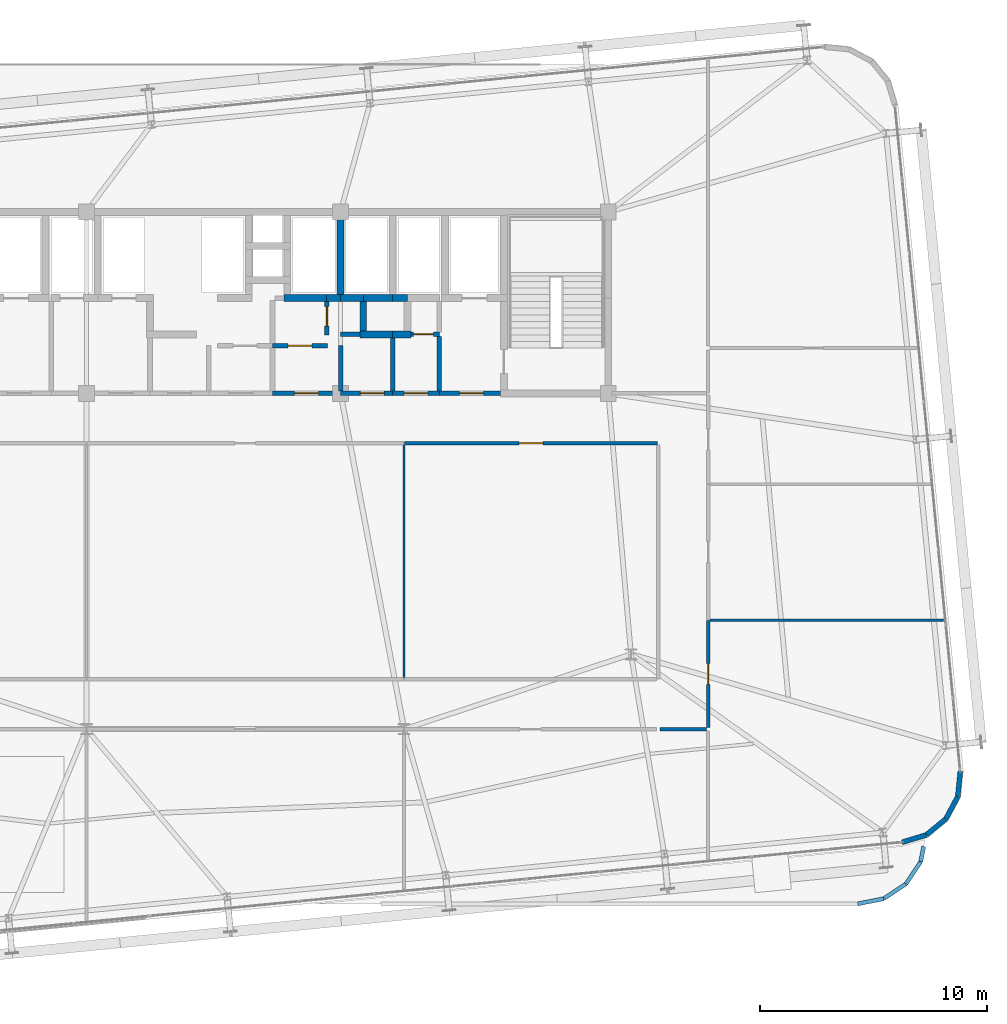
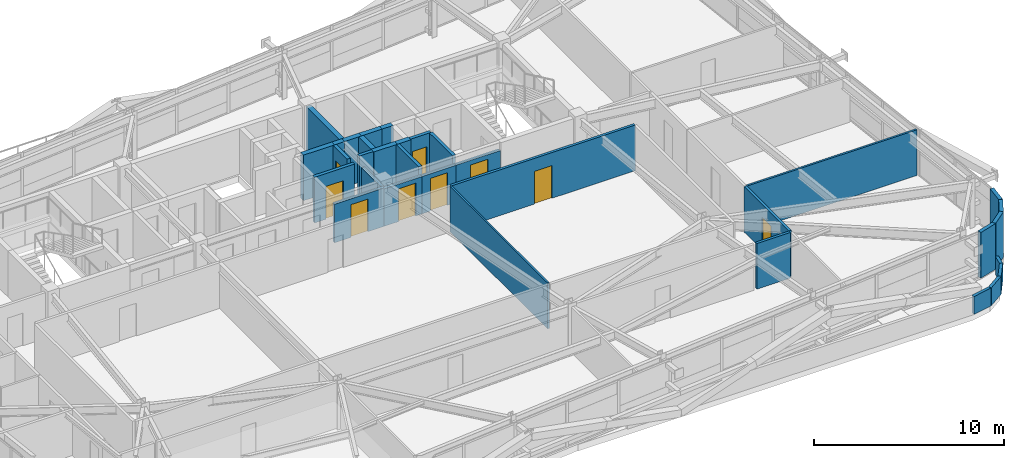
# One storey, part 46 of 51: 33 walls, 9 doors, 9 openings.
"""IFC4 building model written with IfcOpenShell, lengths in metres."""

from ifc_helpers import new_model, si_unit, direction, frame, frame_2d, origin, place, context, subcontext, project, spatial, rectangle, extrude, source, transform, mapped, material, layer, layer_set, type_object, element, fill, save


model = new_model("IFC4")

# Units and contexts
model_context = context("Model", 3, precision=1e-05, world=origin(), true_north=direction((0.0, 1.0)))
body_context = subcontext(model_context, "Body", "Model", "MODEL_VIEW")
ifc_project = project(units=[si_unit("LENGTHUNIT", "METRE"), si_unit("AREAUNIT", "SQUARE_METRE"), si_unit("VOLUMEUNIT", "CUBIC_METRE"), si_unit("PLANEANGLEUNIT", "RADIAN"), si_unit("MASSUNIT", "GRAM", prefix="KILO")], contexts=[model_context])

# Site, building, storey
site_placement = place(None, origin())
site = spatial("IfcSite", under=ifc_project, at=site_placement, CompositionType="ELEMENT")
building_placement = place(site_placement, origin())
building = spatial("IfcBuilding", under=site, at=building_placement, Name="Taldren Reach Tower", CompositionType="ELEMENT")
storey_placement = place(building_placement, frame((0.0, 0.0, 65.10009765625)))
storey = spatial("IfcBuildingStorey", under=building, at=storey_placement, Name="L19", CompositionType="ELEMENT", Elevation=65.10009765625)

# Walls
ifc_material_1 = material(Name="Pale Champagne Anodised Aluminium Cladding", Category="aluminium")
ifc_layer_1 = layer(ifc_material_1, 0.04, Name="Pale Champagne Anodised Aluminium Cladding", Category="aluminium")
ifc_material_2 = material(Name="Mineral Wool Acoustic Insulation", Category="insulation")
ifc_layer_2 = layer(ifc_material_2, 0.06, Name="Mineral Wool Acoustic Insulation", Category="insulation")
ifc_material_3 = material(Name="Steel Gr 350 (C350L0)", Category="steel")
ifc_layer_3 = layer(ifc_material_3, 0.12, Name="Steel Gr 350 (C350L0)", Category="steel")
ifc_layer_set_1 = layer_set([ifc_layer_1, ifc_layer_2, ifc_layer_3], Name="Pale Champagne Aluminium Cladding and Steel Gr 350 Stud Framing")
wall_type_1 = type_object("IfcWallType", Name="EW-CRN-220", PredefinedType="SOLIDWALL", material=ifc_layer_set_1)
shared_shape_1 = source(origin(), body_context, "Body", "SweptSolid", [
    extrude(rectangle(XDim=1.115966796875, YDim=0.219970703125, at=frame_2d((0.55810546875, 0.0))), origin(), (0.0, 0.0, 1.0), 2.929931640625),
])
for number, where, z_axis, x_axis, name in (
    (1, (65.01708984375, 4.537109375, 0.0), (0.0, 0.0, 1.0), (0.773342870285, 0.633988016432, 0.0), "Rounded-corner pale-metal facade wall L19-SE2"),
    (2, (66.406494140625, 6.228515625, 0.0), (0.0, 0.0, 1.0), (0.09844234778, 0.995142755671, 0.0), "Rounded-corner pale-metal facade wall L19-SE4"),
):
    element("IfcWall", number, at=place(storey_placement, frame(where, z_axis=z_axis, x_axis=x_axis)), inside=storey, type_object=wall_type_1, Name=name, PredefinedType="SOLIDWALL", context=body_context, shape_type="MappedRepresentation", body=[
        mapped(shared_shape_1, transform((0.0, 0.0, 0.0), scale=1.0)),
    ])
shared_shape_2 = source(origin(), body_context, "Body", "SweptSolid", [
    extrude(rectangle(XDim=1.11572265625, YDim=0.219970703125, at=frame_2d((0.557861328125, 0.0))), origin(), (0.0, 0.0, 1.0), 2.929931640625),
])
for number, where, z_axis, x_axis, name in (
    (3, (63.94921875, 4.213623046875, 0.0), (0.0, 0.0, 1.0), (0.957052003726, 0.289916301997, 0.0), "Rounded-corner pale-metal facade wall L19-SE1"),
    (4, (65.880126953125, 5.24462890625, 0.0), (0.0, 0.0, 1.0), (0.471723463201, 0.881746547635, 0.0), "Rounded-corner pale-metal facade wall L19-SE3"),
):
    element("IfcWall", number, at=place(storey_placement, frame(where, z_axis=z_axis, x_axis=x_axis)), inside=storey, type_object=wall_type_1, Name=name, PredefinedType="SOLIDWALL", context=body_context, shape_type="MappedRepresentation", body=[
        mapped(shared_shape_2, transform((0.0, 0.0, 0.0), scale=1.0)),
    ])
ifc_layer_4 = layer(ifc_material_1, 0.03, Name="Pale Champagne Anodised Aluminium Cladding", Category="aluminium")
ifc_material_4 = material(Name="Concrete N40 (40 MPa)", Category="concrete")
ifc_layer_5 = layer(ifc_material_4, 0.15, Name="Concrete N40 (40 MPa)", Category="concrete")
ifc_layer_set_2 = layer_set([ifc_layer_4, ifc_layer_5], Name="Pale Champagne Aluminium Coping and Concrete 40 MPa (N40) Parapet")
wall_type_2 = type_object("IfcWallType", Name="EW-PAR-180", PredefinedType="PARAPET", material=ifc_layer_set_2)
shared_shape_3 = source(origin(), body_context, "Body", "SweptSolid", [
    extrude(rectangle(XDim=1.170654296875, YDim=0.179931640625, at=frame_2d((0.58544921875, 0.0))), origin(), (0.0, 0.0, 1.0), 1.14990234375),
])
wall_1_placement = place(storey_placement, frame((64.121337890625, 2.378662109375, 0.0), z_axis=(0.0, 0.0, 1.0), x_axis=(-0.83156866568, -0.555421960548, 0.0)))
element("IfcWall", 5, at=wall_1_placement, inside=storey, type_object=wall_type_2, Name="Setback planter parapet wall L19-2.1", PredefinedType="PARAPET", context=body_context, shape_type="MappedRepresentation", body=[
    mapped(shared_shape_3, transform((0.0, 0.0, 0.0), scale=1.0)),
])
shared_shape_4 = source(origin(), body_context, "Body", "SweptSolid", [
    extrude(rectangle(XDim=1.17041015625, YDim=0.179931640625, at=frame_2d((0.585205078125, 0.0))), origin(), (0.0, 0.0, 1.0), 1.14990234375),
])
for number, where, z_axis, x_axis, name in (
    (6, (63.14794921875, 1.728515625, 0.0), (0.0, 0.0, 1.0), (-0.980756771825, -0.195233589627, 0.0), "Setback planter parapet wall L19-2.2"),
    (7, (64.771484375, 3.351806640625, 0.0), (0.0, 0.0, 1.0), (-0.555518306078, -0.831504306431, 0.0), "Setback planter parapet wall L19-2.5"),
):
    element("IfcWall", number, at=place(storey_placement, frame(where, z_axis=z_axis, x_axis=x_axis)), inside=storey, type_object=wall_type_2, Name=name, PredefinedType="PARAPET", context=body_context, shape_type="MappedRepresentation", body=[
        mapped(shared_shape_4, transform((0.0, 0.0, 0.0), scale=1.0)),
    ])
shared_shape_5 = source(origin(), body_context, "Body", "SweptSolid", [
    extrude(rectangle(XDim=0.686767578125, YDim=0.179931640625, at=frame_2d((0.34326171875, 0.0))), origin(), (0.0, 0.0, 1.0), 1.14990234375),
])
wall_2_placement = place(storey_placement, frame((64.905517578125, 4.025390625, 0.0), z_axis=(0.0, 0.0, 1.0), x_axis=(-0.195158977943, -0.980771621392, 0.0)))
element("IfcWall", 8, at=wall_2_placement, inside=storey, type_object=wall_type_2, Name="Setback planter parapet wall L19-2.4", PredefinedType="PARAPET", context=body_context, shape_type="MappedRepresentation", body=[
    mapped(shared_shape_5, transform((0.0, 0.0, 0.0), scale=1.0)),
])
ifc_material_5 = material(Name="Concrete S50 (50 MPa)", Category="concrete")
ifc_layer_6 = layer(ifc_material_5, 0.199951171875)
ifc_layer_set_3 = layer_set([ifc_layer_6], Name="Concrete S50 (50 MPa)")
wall_type_3 = type_object("IfcWallType", Name="IW-CORE-200", PredefinedType="SOLIDWALL", material=ifc_layer_set_3)
shared_shape_6 = source(origin(), body_context, "Body", "SweptSolid", [
    extrude(rectangle(XDim=2.0, YDim=0.199951171875, at=frame_2d((1.0, 0.0))), origin(), (0.0, 0.0, 1.0), 2.469970703125),
])
wall_3_placement = place(storey_placement, frame((39.199951171875, 26.10009765625, 0.0), z_axis=(0.0, 0.0, 1.0), x_axis=(0.0, -1.0, 0.0)))
element("IfcWall", 9, at=wall_3_placement, inside=storey, type_object=wall_type_3, Name="Rear Core Shear Wall W-INT-L19-052", PredefinedType="SOLIDWALL", context=body_context, shape_type="MappedRepresentation", body=[
    mapped(shared_shape_6, transform((0.0, 0.0, 0.0), scale=1.0)),
])

# Wall, opening, door
ifc_material_6 = material(Name="Fire-Rated Acoustic Plasterboard Stud Wall", Category="gypsum")
ifc_layer_7 = layer(ifc_material_6, 0.159912109375)
ifc_layer_set_4 = layer_set([ifc_layer_7], Name="Fire-Rated Acoustic Plasterboard Stud Wall")
wall_type_4 = type_object("IfcWallType", Name="IW-FIRE-160", PredefinedType="PARTITIONING", material=ifc_layer_set_4)
shared_shape_7 = source(origin(), body_context, "Body", "SweptSolid", [
    extrude(rectangle(XDim=11.159423828125, YDim=0.159912109375, at=frame_2d((5.57958984375, 0.0))), origin(), (0.0, 0.0, 1.0), 2.929931640625),
])
wall_4_placement = place(storey_placement, frame((53.1796875, 21.800048828125, 0.0), z_axis=(0.0, 0.0, 1.0), x_axis=(-1.0, 0.0, 0.0)))
wall_4 = element("IfcWall", 10, at=wall_4_placement, inside=storey, type_object=wall_type_4, Name="Interior Partition Wall W-INT-L19-063", PredefinedType="PARTITIONING", context=body_context, shape_type="MappedRepresentation", body=[
    mapped(shared_shape_7, transform((0.0, 0.0, 0.0), scale=1.0)),
])
shared_shape_8 = source(origin(), body_context, "Body", "SweptSolid", [
    extrude(rectangle(XDim=1.050048828125, YDim=2.10009765625, at=frame_2d((0.52490234375, 1.050048828125))), frame((0.0, 0.08984375, 0.0), z_axis=(0.0, -1.0, 0.0), x_axis=(1.0, 0.0, 0.0)), (0.0, 0.0, 1.0), 0.179931640625),
])
opening_1_placement = place(wall_4_placement, frame((5.0546875, 0.0, 0.0)))
opening_1 = element("IfcOpeningElement", 11, at=opening_1_placement, cuts=wall_4, Name="Opening DF-105", PredefinedType="OPENING", context=body_context, shape_type="MappedRepresentation", body=[
    mapped(shared_shape_8, transform((0.0, 0.0, 0.0), scale=1.0)),
])
ifc_material_7 = material(Name="Fire-Rated Care and Stair Exit Door")
door_type_1 = type_object("IfcDoorType", Name="ID-FIRE-105", OperationType="NOTDEFINED", PredefinedType="DOOR", material=ifc_material_7)
shared_shape_9 = source(origin(), body_context, "Body", "SweptSolid", [
    extrude(rectangle(XDim=1.050048828125, YDim=2.10009765625, at=frame_2d((0.52490234375, 1.050048828125))), frame((0.0, 0.02490234375, 0.0), z_axis=(0.0, -1.0, 0.0), x_axis=(1.0, 0.0, 0.0)), (0.0, 0.0, 1.0), 0.050048828125),
])
door_1_placement = place(opening_1_placement, origin())
door_1 = element("IfcDoor", 12, at=door_1_placement, inside=storey, type_object=door_type_1, Name="Interior Door DR-L19-016", OperationType="SINGLE_SWING_LEFT", OverallHeight=2.10009765625, OverallWidth=1.050048828125, PredefinedType="DOOR", context=body_context, shape_type="MappedRepresentation", body=[
    mapped(shared_shape_9, transform((0.0, 0.0, 0.0), scale=1.0)),
])
fill(opening_1, door_1)

# Walls
shared_shape_10 = source(origin(), body_context, "Body", "SweptSolid", [
    extrude(rectangle(XDim=2.0400390625, YDim=0.159912109375, at=frame_2d((1.02001953125, 0.0))), origin(), (0.0, 0.0, 1.0), 2.929931640625),
])
wall_5_placement = place(storey_placement, frame((55.320068359375, 9.199951171875, 0.0), z_axis=(0.0, 0.0, 1.0), x_axis=(-1.0, 0.0, 0.0)))
element("IfcWall", 13, at=wall_5_placement, inside=storey, type_object=wall_type_4, Name="Interior Partition Wall W-INT-L19-066", PredefinedType="PARTITIONING", context=body_context, shape_type="MappedRepresentation", body=[
    mapped(shared_shape_10, transform((0.0, 0.0, 0.0), scale=1.0)),
])
ifc_material_8 = material(Name="Acoustic Operable Folding Partition", Category="metal")
ifc_layer_8 = layer(ifc_material_8, 0.10009765625)
ifc_layer_set_5 = layer_set([ifc_layer_8], Name="Acoustic Operable Folding Partition")
wall_type_5 = type_object("IfcWallType", Name="IW-MOV-100", PredefinedType="MOVABLE", material=ifc_layer_set_5)
shared_shape_11 = source(origin(), body_context, "Body", "SweptSolid", [
    extrude(rectangle(XDim=10.239990234375, YDim=0.10009765625, at=frame_2d((5.1201171875, 0.0))), origin(), (0.0, 0.0, 1.0), 2.929931640625),
])
wall_6_placement = place(storey_placement, frame((42.0, 21.719970703125, 0.0), z_axis=(0.0, 0.0, 1.0), x_axis=(0.0, -1.0, 0.0)))
element("IfcWall", 14, at=wall_6_placement, inside=storey, type_object=wall_type_5, Name="Interior Partition Wall W-INT-L19-083", PredefinedType="MOVABLE", context=body_context, shape_type="MappedRepresentation", body=[
    mapped(shared_shape_11, transform((0.0, 0.0, 0.0), scale=1.0)),
])
shared_shape_12 = source(origin(), body_context, "Body", "SweptSolid", [
    extrude(rectangle(XDim=2.39990234375, YDim=0.199951171875, at=frame_2d((1.199951171875, 0.0))), origin(), (0.0, 0.0, 1.0), 2.929931640625),
])
wall_7_placement = place(storey_placement, frame((43.550048828125, 26.5, 0.0), z_axis=(0.0, 0.0, 1.0), x_axis=(0.0, -1.0, 0.0)))
element("IfcWall", 15, at=wall_7_placement, inside=storey, type_object=wall_type_3, Name="Rear Core Shear Wall W-INT-L19-013", PredefinedType="SOLIDWALL", context=body_context, shape_type="MappedRepresentation", body=[
    mapped(shared_shape_12, transform((0.0, 0.0, 0.0), scale=1.0)),
])

# Wall, opening, door
shared_shape_13 = source(origin(), body_context, "Body", "SweptSolid", [
    extrude(rectangle(XDim=2.420166015625, YDim=0.199951171875, at=frame_2d((1.2099609375, 0.0))), origin(), (0.0, 0.0, 1.0), 2.929931640625),
])
wall_8_placement = place(storey_placement, frame((36.199951171875, 26.10009765625, 0.0), z_axis=(0.0, 0.0, 1.0), x_axis=(1.0, 0.0, 0.0)))
wall_8 = element("IfcWall", 16, at=wall_8_placement, inside=storey, type_object=wall_type_3, Name="Rear Core Shear Wall W-INT-L19-051", PredefinedType="SOLIDWALL", context=body_context, shape_type="MappedRepresentation", body=[
    mapped(shared_shape_13, transform((0.0, 0.0, 0.0), scale=1.0)),
])
shared_shape_14 = source(origin(), body_context, "Body", "SweptSolid", [
    extrude(rectangle(XDim=1.050048828125, YDim=2.10009765625, at=frame_2d((0.52490234375, 1.050048828125))), frame((0.0, 0.10986328125, 0.0), z_axis=(0.0, -1.0, 0.0), x_axis=(1.0, 0.0, 0.0)), (0.0, 0.0, 1.0), 0.219970703125),
])
opening_2_placement = place(wall_8_placement, frame((0.68505859375, 0.0, 0.0)))
opening_2 = element("IfcOpeningElement", 17, at=opening_2_placement, cuts=wall_8, Name="Opening DF-105", PredefinedType="OPENING", context=body_context, shape_type="MappedRepresentation", body=[
    mapped(shared_shape_14, transform((0.0, 0.0, 0.0), scale=1.0)),
])
door_2_placement = place(opening_2_placement, origin())
door_2 = element("IfcDoor", 18, at=door_2_placement, inside=storey, type_object=door_type_1, Name="Interior Door DR-L19-009", OperationType="SINGLE_SWING_RIGHT", OverallHeight=2.10009765625, OverallWidth=1.050048828125, PredefinedType="DOOR", context=body_context, shape_type="MappedRepresentation", body=[
    mapped(shared_shape_9, transform((0.0, 0.0, 0.0), scale=1.0)),
])
fill(opening_2, door_2)

shared_shape_15 = source(origin(), body_context, "Body", "SweptSolid", [
    extrude(rectangle(XDim=3.0, YDim=0.199951171875, at=frame_2d((1.5, 0.0))), origin(), (0.0, 0.0, 1.0), 2.469970703125),
])
wall_9_placement = place(storey_placement, frame((39.199951171875, 24.0, 0.0), z_axis=(0.0, 0.0, 1.0), x_axis=(-1.0, 0.0, 0.0)))
wall_9 = element("IfcWall", 19, at=wall_9_placement, inside=storey, type_object=wall_type_3, Name="Rear Core Shear Wall W-INT-L19-053", PredefinedType="SOLIDWALL", context=body_context, shape_type="MappedRepresentation", body=[
    mapped(shared_shape_15, transform((0.0, 0.0, 0.0), scale=1.0)),
])
opening_3_placement = place(wall_9_placement, frame((0.97509765625, 0.0, 0.0)))
opening_3 = element("IfcOpeningElement", 20, at=opening_3_placement, cuts=wall_9, Name="Opening DF-105", PredefinedType="OPENING", context=body_context, shape_type="MappedRepresentation", body=[
    mapped(shared_shape_14, transform((0.0, 0.0, 0.0), scale=1.0)),
])
door_3_placement = place(opening_3_placement, frame((1.050048828125, 0.0, 0.0), z_axis=(0.0, 0.0, 1.0), x_axis=(-1.0, 0.0, 0.0)))
door_3 = element("IfcDoor", 21, at=door_3_placement, inside=storey, type_object=door_type_1, Name="Interior Door DR-L19-010", OperationType="SINGLE_SWING_RIGHT", OverallHeight=2.10009765625, OverallWidth=1.050048828125, PredefinedType="DOOR", context=body_context, shape_type="MappedRepresentation", body=[
    mapped(shared_shape_9, transform((0.0, 0.0, 0.0), scale=1.0)),
])
fill(opening_3, door_3)

shared_shape_16 = source(origin(), body_context, "Body", "SweptSolid", [
    extrude(rectangle(XDim=2.300048828125, YDim=0.199951171875, at=frame_2d((1.14990234375, 0.0))), origin(), (0.0, 0.0, 1.0), 2.39697265625),
])
wall_10_placement = place(storey_placement, frame((41.5, 24.0, 0.0), z_axis=(0.0, 0.0, 1.0), x_axis=(-1.0, 0.0, 0.0)))
wall_10 = element("IfcWall", 22, at=wall_10_placement, inside=storey, type_object=wall_type_3, Name="Rear Core Shear Wall W-INT-L19-057", PredefinedType="SOLIDWALL", context=body_context, shape_type="MappedRepresentation", body=[
    mapped(shared_shape_16, transform((0.0, 0.0, 0.0), scale=1.0)),
])
opening_4_placement = place(wall_10_placement, frame((0.375, 0.0, 0.0)))
opening_4 = element("IfcOpeningElement", 23, at=opening_4_placement, cuts=wall_10, Name="Opening DF-105", PredefinedType="OPENING", context=body_context, shape_type="MappedRepresentation", body=[
    mapped(shared_shape_14, transform((0.0, 0.0, 0.0), scale=1.0)),
])
door_4_placement = place(opening_4_placement, frame((1.050048828125, 0.0, 0.0), z_axis=(0.0, 0.0, 1.0), x_axis=(-1.0, 0.0, 0.0)))
door_4 = element("IfcDoor", 24, at=door_4_placement, inside=storey, type_object=door_type_1, Name="Interior Door DR-L19-011", OperationType="SINGLE_SWING_RIGHT", OverallHeight=2.10009765625, OverallWidth=1.050048828125, PredefinedType="DOOR", context=body_context, shape_type="MappedRepresentation", body=[
    mapped(shared_shape_9, transform((0.0, 0.0, 0.0), scale=1.0)),
])
fill(opening_4, door_4)

shared_shape_17 = source(origin(), body_context, "Body", "SweptSolid", [
    extrude(rectangle(XDim=1.25, YDim=0.199951171875, at=frame_2d((0.625, 0.0))), origin(), (0.0, 0.0, 1.0), 2.929931640625),
])
wall_11_placement = place(storey_placement, frame((42.300048828125, 26.60009765625, 0.0), z_axis=(0.0, 0.0, 1.0), x_axis=(1.0, 0.0, 0.0)))
wall_11 = element("IfcWall", 25, at=wall_11_placement, inside=storey, type_object=wall_type_3, Name="Rear Core Shear Wall W-INT-L19-058", PredefinedType="SOLIDWALL", context=body_context, shape_type="MappedRepresentation", body=[
    mapped(shared_shape_17, transform((0.0, 0.0, 0.0), scale=1.0)),
])
shared_shape_18 = source(origin(), body_context, "Body", "SweptSolid", [
    extrude(rectangle(XDim=0.8798828125, YDim=2.10009765625, at=frame_2d((0.43994140625, 1.050048828125))), frame((0.0, 0.10986328125, 0.0), z_axis=(0.0, -1.0, 0.0), x_axis=(1.0, 0.0, 0.0)), (0.0, 0.0, 1.0), 0.219970703125),
])
opening_5_placement = place(wall_11_placement, frame((0.110107421875, 0.0, 0.0)))
opening_5 = element("IfcOpeningElement", 26, at=opening_5_placement, cuts=wall_11, Name="Opening DF-088", PredefinedType="OPENING", context=body_context, shape_type="MappedRepresentation", body=[
    mapped(shared_shape_18, transform((0.0, 0.0, 0.0), scale=1.0)),
])
ifc_material_9 = material(Name="Fire-Rated Service Closet Door")
door_type_2 = type_object("IfcDoorType", Name="ID-FIRE-088", OperationType="NOTDEFINED", PredefinedType="DOOR", material=ifc_material_9)
shared_shape_19 = source(origin(), body_context, "Body", "SweptSolid", [
    extrude(rectangle(XDim=0.8798828125, YDim=2.10009765625, at=frame_2d((0.43994140625, 1.050048828125))), frame((0.0, 0.02490234375, 0.0), z_axis=(0.0, -1.0, 0.0), x_axis=(1.0, 0.0, 0.0)), (0.0, 0.0, 1.0), 0.050048828125),
])
door_5_placement = place(opening_5_placement, origin())
door_5 = element("IfcDoor", 27, at=door_5_placement, inside=storey, type_object=door_type_2, Name="Interior Door DR-L19-012", OperationType="SINGLE_SWING_LEFT", OverallHeight=2.10009765625, OverallWidth=0.8798828125, PredefinedType="DOOR", context=body_context, shape_type="MappedRepresentation", body=[
    mapped(shared_shape_19, transform((0.0, 0.0, 0.0), scale=1.0)),
])
fill(opening_5, door_5)

shared_shape_20 = source(origin(), body_context, "Body", "SweptSolid", [
    extrude(rectangle(XDim=2.050048828125, YDim=0.199951171875, at=frame_2d((1.02490234375, 0.0))), origin(), (0.0, 0.0, 1.0), 2.39697265625),
])
wall_12_placement = place(storey_placement, frame((43.550048828125, 24.0, 0.0), z_axis=(0.0, 0.0, 1.0), x_axis=(-1.0, 0.0, 0.0)))
wall_12 = element("IfcWall", 28, at=wall_12_placement, inside=storey, type_object=wall_type_3, Name="Rear Core Shear Wall W-INT-L19-059", PredefinedType="SOLIDWALL", context=body_context, shape_type="MappedRepresentation", body=[
    mapped(shared_shape_20, transform((0.0, 0.0, 0.0), scale=1.0)),
])
opening_6_placement = place(wall_12_placement, frame((0.5, 0.0, 0.0)))
opening_6 = element("IfcOpeningElement", 29, at=opening_6_placement, cuts=wall_12, Name="Opening DF-105", PredefinedType="OPENING", context=body_context, shape_type="MappedRepresentation", body=[
    mapped(shared_shape_14, transform((0.0, 0.0, 0.0), scale=1.0)),
])
door_6_placement = place(opening_6_placement, frame((1.050048828125, 0.0, 0.0), z_axis=(0.0, 0.0, 1.0), x_axis=(-1.0, 0.0, 0.0)))
door_6 = element("IfcDoor", 30, at=door_6_placement, inside=storey, type_object=door_type_1, Name="Interior Door DR-L19-013", OperationType="SINGLE_SWING_LEFT", OverallHeight=2.10009765625, OverallWidth=1.050048828125, PredefinedType="DOOR", context=body_context, shape_type="MappedRepresentation", body=[
    mapped(shared_shape_9, transform((0.0, 0.0, 0.0), scale=1.0)),
])
fill(opening_6, door_6)

shared_shape_21 = source(origin(), body_context, "Body", "SweptSolid", [
    extrude(rectangle(XDim=4.69970703125, YDim=0.159912109375, at=frame_2d((2.349853515625, 0.0))), origin(), (0.0, 0.0, 1.0), 2.929931640625),
])
wall_13_placement = place(storey_placement, frame((55.39990234375, 13.979736328125, 0.0), z_axis=(0.0, 0.0, 1.0), x_axis=(0.0, -1.0, 0.0)))
wall_13 = element("IfcWall", 31, at=wall_13_placement, inside=storey, type_object=wall_type_4, Name="Interior Partition Wall W-INT-L19-071", PredefinedType="PARTITIONING", context=body_context, shape_type="MappedRepresentation", body=[
    mapped(shared_shape_21, transform((0.0, 0.0, 0.0), scale=1.0)),
])
shared_shape_22 = source(origin(), body_context, "Body", "SweptSolid", [
    extrude(rectangle(XDim=0.919921875, YDim=2.10009765625, at=frame_2d((0.4599609375, 1.050048828125))), frame((0.0, 0.08984375, 0.0), z_axis=(0.0, -1.0, 0.0), x_axis=(1.0, 0.0, 0.0)), (0.0, 0.0, 1.0), 0.179931640625),
])
opening_7_placement = place(wall_13_placement, frame((1.889892578125, 0.0, 0.0)))
opening_7 = element("IfcOpeningElement", 32, at=opening_7_placement, cuts=wall_13, Name="Opening DI-092", PredefinedType="OPENING", context=body_context, shape_type="MappedRepresentation", body=[
    mapped(shared_shape_22, transform((0.0, 0.0, 0.0), scale=1.0)),
])
ifc_material_10 = material(Name="Solid-Core Timber Suite Door", Category="wood")
door_type_3 = type_object("IfcDoorType", Name="ID-INT-092", OperationType="NOTDEFINED", PredefinedType="DOOR", material=ifc_material_10)
shared_shape_23 = source(origin(), body_context, "Body", "SweptSolid", [
    extrude(rectangle(XDim=0.919921875, YDim=2.10009765625, at=frame_2d((0.4599609375, 1.050048828125))), frame((0.0, 0.02490234375, 0.0), z_axis=(0.0, -1.0, 0.0), x_axis=(1.0, 0.0, 0.0)), (0.0, 0.0, 1.0), 0.050048828125),
])
door_7_placement = place(opening_7_placement, origin())
door_7 = element("IfcDoor", 33, at=door_7_placement, inside=storey, type_object=door_type_3, Name="Interior Door DR-L19-020", OperationType="SINGLE_SWING_LEFT", OverallHeight=2.10009765625, OverallWidth=0.919921875, PredefinedType="DOOR", context=body_context, shape_type="MappedRepresentation", body=[
    mapped(shared_shape_23, transform((0.0, 0.0, 0.0), scale=1.0)),
])
fill(opening_7, door_7)

# Wall
ifc_material_11 = material(Name="Concrete S65 (65 MPa)", Category="concrete")
ifc_layer_9 = layer(ifc_material_11, 0.300048828125)
ifc_layer_set_6 = layer_set([ifc_layer_9], Name="Concrete S65 (65 MPa)")
wall_type_6 = type_object("IfcWallType", Name="IW-CORE-300", PredefinedType="SHEAR", material=ifc_layer_set_6)
shared_shape_24 = source(origin(), body_context, "Body", "SweptSolid", [
    extrude(rectangle(XDim=3.5, YDim=0.300048828125, at=frame_2d((1.75, 0.0))), origin(), (0.0, 0.0, 1.0), 2.929931640625),
])
wall_14_placement = place(storey_placement, frame((39.199951171875, 28.35009765625, 0.0), z_axis=(0.0, 0.0, 1.0), x_axis=(0.0, 1.0, 0.0)))
element("IfcWall", 34, at=wall_14_placement, inside=storey, type_object=wall_type_6, Name="Rear Core Shear Wall W-INT-L19-037", PredefinedType="SHEAR", context=body_context, shape_type="MappedRepresentation", body=[
    mapped(shared_shape_24, transform((0.0, 0.0, 0.0), scale=1.0)),
])

# Wall, opening, door
shared_shape_25 = source(origin(), body_context, "Body", "SweptSolid", [
    extrude(rectangle(XDim=2.699951171875, YDim=0.199951171875, at=frame_2d((1.35009765625, 0.0))), origin(), (0.0, 0.0, 1.0), 2.39697265625),
])
wall_15_placement = place(storey_placement, frame((43.550048828125, 24.0, 0.0), z_axis=(0.0, 0.0, 1.0), x_axis=(1.0, 0.0, 0.0)))
wall_15 = element("IfcWall", 35, at=wall_15_placement, inside=storey, type_object=wall_type_3, Name="Rear Core Shear Wall W-INT-L19-015", PredefinedType="SOLIDWALL", context=body_context, shape_type="MappedRepresentation", body=[
    mapped(shared_shape_25, transform((0.0, 0.0, 0.0), scale=1.0)),
])
opening_8_placement = place(wall_15_placement, frame((0.89990234375, 0.0, 0.0)))
opening_8 = element("IfcOpeningElement", 36, at=opening_8_placement, cuts=wall_15, Name="Opening DF-105", PredefinedType="OPENING", context=body_context, shape_type="MappedRepresentation", body=[
    mapped(shared_shape_14, transform((0.0, 0.0, 0.0), scale=1.0)),
])
door_8_placement = place(opening_8_placement, origin())
door_8 = element("IfcDoor", 37, at=door_8_placement, inside=storey, type_object=door_type_1, Name="Interior Door DR-L19-004", OperationType="SINGLE_SWING_LEFT", OverallHeight=2.10009765625, OverallWidth=1.050048828125, PredefinedType="DOOR", context=body_context, shape_type="MappedRepresentation", body=[
    mapped(shared_shape_9, transform((0.0, 0.0, 0.0), scale=1.0)),
])
fill(opening_8, door_8)

# Walls
shared_shape_26 = source(origin(), body_context, "Body", "SweptSolid", [
    extrude(rectangle(XDim=1.300048828125, YDim=0.300048828125, at=frame_2d((0.64990234375, 0.0))), origin(), (0.0, 0.0, 1.0), 2.929931640625),
])
wall_16_placement = place(storey_placement, frame((40.199951171875, 28.050048828125, 0.0), z_axis=(0.0, 0.0, 1.0), x_axis=(0.0, -1.0, 0.0)))
element("IfcWall", 38, at=wall_16_placement, inside=storey, type_object=wall_type_6, Name="Rear Core Shear Wall W-INT-L19-027", PredefinedType="SHEAR", context=body_context, shape_type="MappedRepresentation", body=[
    mapped(shared_shape_26, transform((0.0, 0.0, 0.0), scale=1.0)),
])
shared_shape_27 = source(origin(), body_context, "Body", "SweptSolid", [
    extrude(rectangle(XDim=1.320068359375, YDim=0.300048828125, at=frame_2d((0.66015625, 0.0))), origin(), (0.0, 0.0, 1.0), 2.929931640625),
])
wall_17_placement = place(storey_placement, frame((41.52001953125, 28.199951171875, 0.0), z_axis=(0.0, 0.0, 1.0), x_axis=(-1.0, 0.0, 0.0)))
element("IfcWall", 39, at=wall_17_placement, inside=storey, type_object=wall_type_6, Name="Rear Core Shear Wall W-INT-L19-024", PredefinedType="SHEAR", context=body_context, shape_type="MappedRepresentation", body=[
    mapped(shared_shape_27, transform((0.0, 0.0, 0.0), scale=1.0)),
])
shared_shape_28 = source(origin(), body_context, "Body", "SweptSolid", [
    extrude(rectangle(XDim=0.669921875, YDim=0.300048828125, at=frame_2d((0.3349609375, 0.0))), origin(), (0.0, 0.0, 1.0), 2.929931640625),
])
wall_18_placement = place(storey_placement, frame((42.14990234375, 28.199951171875, 0.0), z_axis=(0.0, 0.0, 1.0), x_axis=(-1.0, 0.0, 0.0)))
element("IfcWall", 40, at=wall_18_placement, inside=storey, type_object=wall_type_6, Name="Rear Core Shear Wall W-INT-L19-025", PredefinedType="SHEAR", context=body_context, shape_type="MappedRepresentation", body=[
    mapped(shared_shape_28, transform((0.0, 0.0, 0.0), scale=1.0)),
])
shared_shape_29 = source(origin(), body_context, "Body", "SweptSolid", [
    extrude(rectangle(XDim=1.469970703125, YDim=0.300048828125, at=frame_2d((0.73486328125, 0.0))), origin(), (0.0, 0.0, 1.0), 2.929931640625),
])
wall_19_placement = place(storey_placement, frame((40.050048828125, 26.60009765625, 0.0), z_axis=(0.0, 0.0, 1.0), x_axis=(1.0, 0.0, 0.0)))
element("IfcWall", 41, at=wall_19_placement, inside=storey, type_object=wall_type_6, Name="Rear Core Shear Wall W-INT-L19-026", PredefinedType="SHEAR", context=body_context, shape_type="MappedRepresentation", body=[
    mapped(shared_shape_29, transform((0.0, 0.0, 0.0), scale=1.0)),
])
shared_shape_30 = source(origin(), body_context, "Body", "SweptSolid", [
    extrude(rectangle(XDim=0.820068359375, YDim=0.300048828125, at=frame_2d((0.41015625, 0.0))), origin(), (0.0, 0.0, 1.0), 2.929931640625),
])
wall_20_placement = place(storey_placement, frame((41.47998046875, 26.60009765625, 0.0), z_axis=(0.0, 0.0, 1.0), x_axis=(1.0, 0.0, 0.0)))
element("IfcWall", 42, at=wall_20_placement, inside=storey, type_object=wall_type_6, Name="Rear Core Shear Wall W-INT-L19-028", PredefinedType="SHEAR", context=body_context, shape_type="MappedRepresentation", body=[
    mapped(shared_shape_30, transform((0.0, 0.0, 0.0), scale=1.0)),
])
shared_shape_31 = source(origin(), body_context, "Body", "SweptSolid", [
    extrude(rectangle(XDim=2.349853515625, YDim=0.199951171875, at=frame_2d((1.1748046875, 0.0))), origin(), (0.0, 0.0, 1.0), 2.929931640625),
])
wall_21_placement = place(storey_placement, frame((41.5, 26.449951171875, 0.0), z_axis=(0.0, 0.0, 1.0), x_axis=(0.0, -1.0, 0.0)))
element("IfcWall", 43, at=wall_21_placement, inside=storey, type_object=wall_type_3, Name="Rear Core Shear Wall W-INT-L19-056", PredefinedType="SOLIDWALL", context=body_context, shape_type="MappedRepresentation", body=[
    mapped(shared_shape_31, transform((0.0, 0.0, 0.0), scale=1.0)),
])
shared_shape_32 = source(origin(), body_context, "Body", "SweptSolid", [
    extrude(rectangle(XDim=1.920166015625, YDim=0.300048828125, at=frame_2d((0.9599609375, 0.0))), origin(), (0.0, 0.0, 1.0), 2.929931640625),
])
wall_22_placement = place(storey_placement, frame((36.699951171875, 28.199951171875, 0.0), z_axis=(0.0, 0.0, 1.0), x_axis=(1.0, 0.0, 0.0)))
element("IfcWall", 44, at=wall_22_placement, inside=storey, type_object=wall_type_6, Name="Rear Core Shear Wall W-INT-L19-039", PredefinedType="SHEAR", context=body_context, shape_type="MappedRepresentation", body=[
    mapped(shared_shape_32, transform((0.0, 0.0, 0.0), scale=1.0)),
])
shared_shape_33 = source(origin(), body_context, "Body", "SweptSolid", [
    extrude(rectangle(XDim=0.619873046875, YDim=0.300048828125, at=frame_2d((0.31005859375, 0.0))), origin(), (0.0, 0.0, 1.0), 2.929931640625),
])
wall_23_placement = place(storey_placement, frame((38.580078125, 28.199951171875, 0.0), z_axis=(0.0, 0.0, 1.0), x_axis=(1.0, 0.0, 0.0)))
element("IfcWall", 45, at=wall_23_placement, inside=storey, type_object=wall_type_6, Name="Rear Core Shear Wall W-INT-L19-040", PredefinedType="SHEAR", context=body_context, shape_type="MappedRepresentation", body=[
    mapped(shared_shape_33, transform((0.0, 0.0, 0.0), scale=1.0)),
])
shared_shape_34 = source(origin(), body_context, "Body", "SweptSolid", [
    extrude(rectangle(XDim=1.02001953125, YDim=0.300048828125, at=frame_2d((0.510009765625, 0.0))), origin(), (0.0, 0.0, 1.0), 2.929931640625),
])
wall_24_placement = place(storey_placement, frame((39.199951171875, 28.199951171875, 0.0), z_axis=(0.0, 0.0, 1.0), x_axis=(1.0, 0.0, 0.0)))
element("IfcWall", 46, at=wall_24_placement, inside=storey, type_object=wall_type_6, Name="Rear Core Shear Wall W-INT-L19-042", PredefinedType="SHEAR", context=body_context, shape_type="MappedRepresentation", body=[
    mapped(shared_shape_34, transform((0.0, 0.0, 0.0), scale=1.0)),
])

# Wall, opening, door
shared_shape_35 = source(origin(), body_context, "Body", "SweptSolid", [
    extrude(rectangle(XDim=1.469970703125, YDim=0.199951171875, at=frame_2d((0.73486328125, 0.0))), origin(), (0.0, 0.0, 1.0), 2.929931640625),
])
wall_25_placement = place(storey_placement, frame((38.60009765625, 28.050048828125, 0.0), z_axis=(0.0, 0.0, 1.0), x_axis=(0.0, -1.0, 0.0)))
wall_25 = element("IfcWall", 47, at=wall_25_placement, inside=storey, type_object=wall_type_3, Name="Rear Core Shear Wall W-INT-L19-054", PredefinedType="SOLIDWALL", context=body_context, shape_type="MappedRepresentation", body=[
    mapped(shared_shape_35, transform((0.0, 0.0, 0.0), scale=1.0)),
])
shared_shape_36 = source(origin(), body_context, "Body", "SweptSolid", [
    extrude(rectangle(XDim=0.860107421875, YDim=2.10009765625, at=frame_2d((0.43017578125, 1.050048828125))), frame((0.0, 0.10986328125, 0.0), z_axis=(0.0, -1.0, 0.0), x_axis=(1.0, 0.0, 0.0)), (0.0, 0.0, 1.0), 0.219970703125),
])
opening_9_placement = place(wall_25_placement, frame((0.22998046875, 0.0, 0.0)))
opening_9 = element("IfcOpeningElement", 48, at=opening_9_placement, cuts=wall_25, Name="Opening DI-086", PredefinedType="OPENING", context=body_context, shape_type="MappedRepresentation", body=[
    mapped(shared_shape_36, transform((0.0, 0.0, 0.0), scale=1.0)),
])
ifc_material_12 = material(Name="Timber Bathroom Door", Category="wood")
door_type_4 = type_object("IfcDoorType", Name="ID-INT-086", OperationType="NOTDEFINED", PredefinedType="DOOR", material=ifc_material_12)
shared_shape_37 = source(origin(), body_context, "Body", "SweptSolid", [
    extrude(rectangle(XDim=0.860107421875, YDim=2.10009765625, at=frame_2d((0.43017578125, 1.050048828125))), frame((0.0, 0.02490234375, 0.0), z_axis=(0.0, -1.0, 0.0), x_axis=(1.0, 0.0, 0.0)), (0.0, 0.0, 1.0), 0.050048828125),
])
door_9_placement = place(opening_9_placement, origin())
door_9 = element("IfcDoor", 49, at=door_9_placement, inside=storey, type_object=door_type_4, Name="Interior Door DR-L19-029", OperationType="SINGLE_SWING_RIGHT", OverallHeight=2.10009765625, OverallWidth=0.860107421875, PredefinedType="DOOR", context=body_context, shape_type="MappedRepresentation", body=[
    mapped(shared_shape_37, transform((0.0, 0.0, 0.0), scale=1.0)),
])
fill(opening_9, door_9)

# Walls
shared_shape_38 = source(origin(), body_context, "Body", "SweptSolid", [
    extrude(rectangle(XDim=0.85009765625, YDim=0.199951171875, at=frame_2d((0.425048828125, 0.0))), origin(), (0.0, 0.0, 1.0), 2.929931640625),
])
wall_26_placement = place(storey_placement, frame((39.199951171875, 26.60009765625, 0.0), z_axis=(0.0, 0.0, 1.0), x_axis=(1.0, 0.0, 0.0)))
element("IfcWall", 50, at=wall_26_placement, inside=storey, type_object=wall_type_3, Name="Rear Core Shear Wall W-INT-L19-055", PredefinedType="SOLIDWALL", context=body_context, shape_type="MappedRepresentation", body=[
    mapped(shared_shape_38, transform((0.0, 0.0, 0.0), scale=1.0)),
])
ifc_material_13 = material(Name="Insulated Residential Stud Partition", Category="gypsum")
ifc_layer_10 = layer(ifc_material_13, 0.1201171875)
ifc_layer_set_7 = layer_set([ifc_layer_10], Name="Insulated Residential Stud Partition")
wall_type_7 = type_object("IfcWallType", Name="IW-PART-120", PredefinedType="PARTITIONING", material=ifc_layer_set_7)
shared_shape_39 = source(origin(), body_context, "Body", "SweptSolid", [
    extrude(rectangle(XDim=10.30078125, YDim=0.1201171875, at=frame_2d((5.150390625, 0.0))), origin(), (0.0, 0.0, 1.0), 2.929931640625),
])
wall_27_placement = place(storey_placement, frame((55.47998046875, 14.0, 0.0), z_axis=(0.0, 0.0, 1.0), x_axis=(1.0, 0.0, 0.0)))
element("IfcWall", 51, at=wall_27_placement, inside=storey, type_object=wall_type_7, Name="Interior Partition Wall W-INT-L19-099", PredefinedType="PARTITIONING", context=body_context, shape_type="MappedRepresentation", body=[
    mapped(shared_shape_39, transform((0.0, 0.0, 0.0), scale=1.0)),
])

save(model, "model.ifc")
